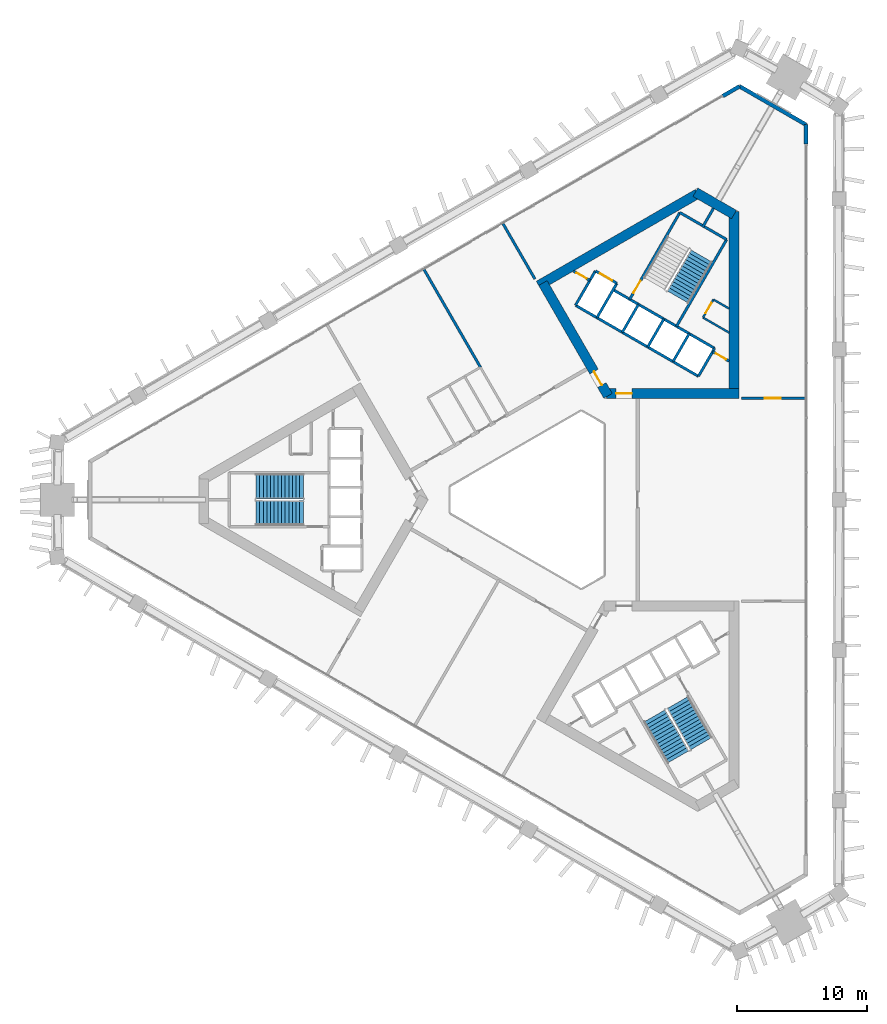
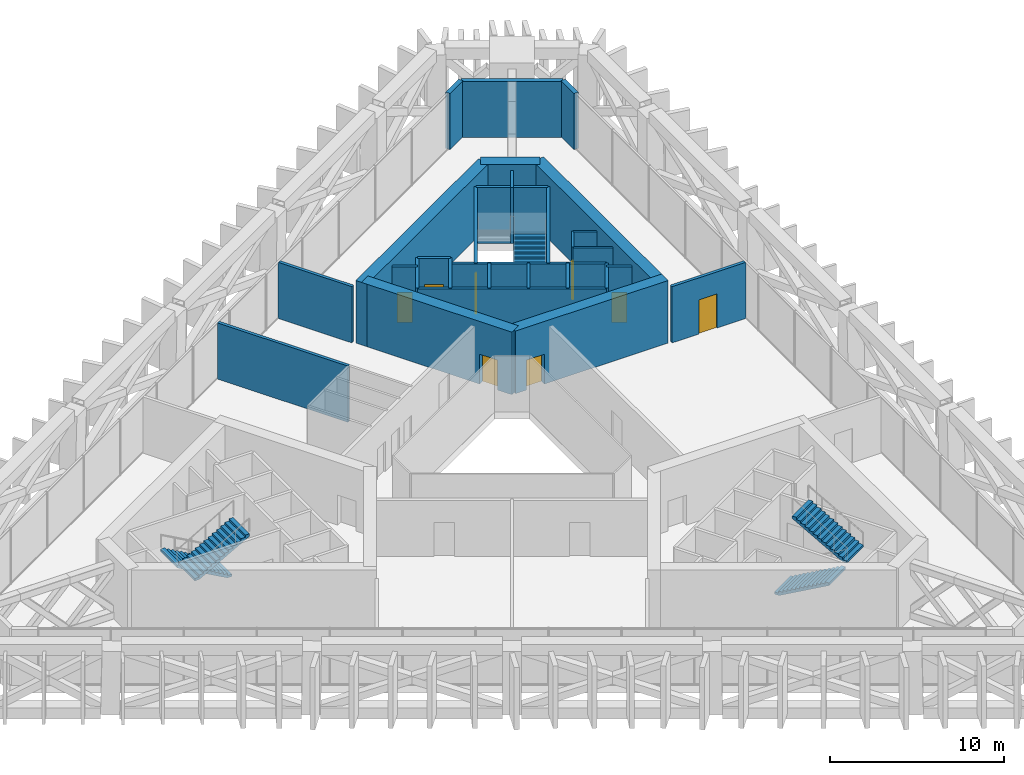
# One storey, part 14 of 17: 29 walls, 8 doors, 5 stair flights, 8 openings, 3 elements without a shape of their own.
"""IFC4 building model written with IfcOpenShell, lengths in metres."""

import ifcopenshell
import ifcopenshell.guid

model = None  # the IFC model being written
_history = None  # IfcOwnerHistory: only IFC2X3 demands one
_inside = {}  # id of a spatial element -> (the spatial element, [elements in it])
_under = {}  # id of a project, library or spatial element -> (it, [spatial elements below it])
_declared = {}  # id of a project -> (the project, [libraries it declares])
_typed = {}  # id of a type object -> (the type object, [elements of that type])
_made_of = {}  # id of a material, layer set ... -> (it, [elements and type objects made of it])


def new_model(schema):
    """Start an empty IFC model of exactly this schema.

    Asked for "IFC4X3", IfcOpenShell would pick the latest addendum, in which some entities
    have other attributes; the version numbers below select the first issue.
    IFC2X3 requires an IfcOwnerHistory on every rooted entity: one is made here for all.
    """
    global model, _history
    if schema == "IFC4X3":
        model = ifcopenshell.file(schema_version=(4, 3, 0, 0))
    else:
        model = ifcopenshell.file(schema=schema)
    _inside.clear()
    _under.clear()
    _declared.clear()
    _typed.clear()
    _made_of.clear()
    _history = None
    if model.schema == "IFC2X3":
        org = make("IfcOrganization", Name="unknown")
        user = make(
            "IfcPersonAndOrganization",
            ThePerson=make("IfcPerson", FamilyName="unknown"),
            TheOrganization=org,
        )
        app = make(
            "IfcApplication",
            ApplicationDeveloper=org,
            Version="unknown",
            ApplicationFullName="unknown",
            ApplicationIdentifier="unknown",
        )
        _history = make(
            "IfcOwnerHistory",
            OwningUser=user,
            OwningApplication=app,
            ChangeAction="ADDED",
            CreationDate=0,
        )
    return model


def make(cls, **values):
    """One entity of the class cls with the attributes given. An attribute that is None is left unset."""
    return model.create_entity(
        cls, **{name: value for name, value in values.items() if value is not None}
    )


def rooted(cls, **values):
    """An entity with a GlobalId (a new one), such as an element, a storey or a relation."""
    return make(cls, GlobalId=ifcopenshell.guid.new(), OwnerHistory=_history, **values)


def si_unit(unit_type, name, prefix=None):
    """IfcSIUnit, for example si_unit("LENGTHUNIT", "METRE", prefix="MILLI")."""
    return make("IfcSIUnit", UnitType=unit_type, Prefix=prefix, Name=name)


def assignment(units):
    """IfcUnitAssignment: the units of a project."""
    return None if units is None else make("IfcUnitAssignment", Units=units)


def point(xyz):
    """IfcCartesianPoint."""
    return None if xyz is None else make("IfcCartesianPoint", Coordinates=xyz)


def direction(xyz):
    """IfcDirection."""
    return None if xyz is None else make("IfcDirection", DirectionRatios=xyz)


def frame(location, z_axis=None, x_axis=None):
    """IfcAxis2Placement3D, a coordinate frame: its origin and axes. An axis left out is left unset."""
    return make(
        "IfcAxis2Placement3D",
        Location=point(location),
        Axis=direction(z_axis),
        RefDirection=direction(x_axis),
    )


def frame_2d(location, x_axis=None):
    """IfcAxis2Placement2D, a coordinate frame in the plane: its origin and x axis."""
    return make(
        "IfcAxis2Placement2D", Location=point(location), RefDirection=direction(x_axis)
    )


def origin():
    """The frame at (0, 0, 0) with its axes left unset."""
    return frame((0.0, 0.0, 0.0))


def place(relative_to, where):
    """IfcLocalPlacement: puts the frame where relative to a parent placement (None: the world)."""
    return make(
        "IfcLocalPlacement", PlacementRelTo=relative_to, RelativePlacement=where
    )


def context(
    kind, dimensions, precision=None, world=None, true_north=None, identifier=None
):
    """IfcGeometricRepresentationContext, for example the 3D "Model" context."""
    return make(
        "IfcGeometricRepresentationContext",
        ContextIdentifier=identifier,
        ContextType=kind,
        CoordinateSpaceDimension=dimensions,
        Precision=precision,
        WorldCoordinateSystem=world,
        TrueNorth=true_north,
    )


def subcontext(parent, identifier, kind, view, scale=None):
    """IfcGeometricRepresentationSubContext, for example "Body" below "Model"."""
    return make(
        "IfcGeometricRepresentationSubContext",
        ContextIdentifier=identifier,
        ContextType=kind,
        ParentContext=parent,
        TargetScale=scale,
        TargetView=view,
    )


def project(units=None, contexts=None):
    """IfcProject with its units and contexts."""
    return rooted(
        "IfcProject",
        Name="project",
        RepresentationContexts=contexts,
        UnitsInContext=assignment(units),
    )


def spatial(cls, under=None, at=None, **own):
    """A site, building, storey or space (cls), placed at a placement, below another one or the project."""
    s = rooted(cls, ObjectPlacement=at, **own)
    if under is not None:
        _under.setdefault(under.id(), (under, []))[1].append(s)
    return s


def polyline(points):
    """IfcPolyline through the points."""
    return make("IfcPolyline", Points=[point(p) for p in points])


def profile(cls, at=None, kind="AREA", **sizes):
    """A parametric profile (cls). Its sizes go by their IFC names, for example OverallWidth=200.0."""
    return make(cls, ProfileType=kind, Position=at, **sizes)


def rectangle(**sizes):
    """IfcRectangleProfileDef."""
    return profile("IfcRectangleProfileDef", **sizes)


def outline(outer, holes=None, kind="AREA"):
    """IfcArbitraryClosedProfileDef: a profile drawn as a closed curve; with holes, ...WithVoids."""
    if holes is None:
        return make("IfcArbitraryClosedProfileDef", ProfileType=kind, OuterCurve=outer)
    return make(
        "IfcArbitraryProfileDefWithVoids",
        ProfileType=kind,
        OuterCurve=outer,
        InnerCurves=holes,
    )


def extrude(swept, where, along, depth):
    """IfcExtrudedAreaSolid: the profile swept, set in the frame where, extruded along a direction by depth."""
    return make(
        "IfcExtrudedAreaSolid",
        SweptArea=swept,
        Position=where,
        ExtrudedDirection=direction(along),
        Depth=depth,
    )


def shape(context_of_items, identifier, shape_type, items):
    """IfcShapeRepresentation: the items that make up one representation, for example the "Body"."""
    return make(
        "IfcShapeRepresentation",
        ContextOfItems=context_of_items,
        RepresentationIdentifier=identifier,
        RepresentationType=shape_type,
        Items=items,
    )


def material(Name=None, Category=None):
    """IfcMaterial."""
    return make("IfcMaterial", Name=Name, Category=Category)


def layer(
    of_material, thickness, ventilated=None, Name=None, Category=None, Priority=None
):
    """IfcMaterialLayer: one layer of a wall or slab, of a material (None: an air gap)."""
    return make(
        "IfcMaterialLayer",
        Material=of_material,
        LayerThickness=thickness,
        IsVentilated=ventilated,
        Name=Name,
        Category=Category,
        Priority=Priority,
    )


def layer_set(layers, Name=None):
    """IfcMaterialLayerSet."""
    return make("IfcMaterialLayerSet", MaterialLayers=layers, LayerSetName=Name)


def made_of(thing, what):
    """Note that an element or type object is made of a material, layer set ...; save() writes the relation."""
    if what is not None:
        _made_of.setdefault(what.id(), (what, []))[1].append(thing)
    return thing


def type_object(cls, material=None, **own):
    """A type object (cls), such as IfcWallType, which elements share."""
    return made_of(rooted(cls, **own), material)


def element(
    cls,
    number,
    at=None,
    inside=None,
    cuts=None,
    type_object=None,
    material=None,
    context=None,
    identifier="Body",
    shape_type=None,
    held_by="IfcProductDefinitionShape",
    body=None,
    shapes=None,
    **own,
):
    """One element of the class cls, such as IfcWall. Its Tag is "e" and its number.

    at: its placement. inside: the storey or other place that contains it. cuts: it is an
    opening in that element (IfcRelVoidsElement). A single representation is given by context,
    identifier, shape_type and body (its items); several are given by shapes. held_by: the class
    of the entity that holds the representations. save() writes the other relations.
    """
    e = rooted(cls, Tag="e%d" % number, ObjectPlacement=at, **own)
    if body is not None:
        shapes = [shape(context, identifier, shape_type, body)]
    if shapes is not None:
        e.Representation = make(held_by, Representations=shapes)
    if inside is not None:
        _inside.setdefault(inside.id(), (inside, []))[1].append(e)
    if cuts is not None:
        rooted(
            "IfcRelVoidsElement", RelatingBuildingElement=cuts, RelatedOpeningElement=e
        )
    if type_object is not None:
        _typed.setdefault(type_object.id(), (type_object, []))[1].append(e)
    return made_of(e, material)


def fill(opening, filler):
    """IfcRelFillsElement: the door or window that sits in an opening."""
    return rooted(
        "IfcRelFillsElement",
        RelatingOpeningElement=opening,
        RelatedBuildingElement=filler,
    )


def aggregate(whole, parts):
    """IfcRelAggregates: a whole, such as a stair, and the parts it consists of."""
    return rooted("IfcRelAggregates", RelatingObject=whole, RelatedObjects=parts)


def save(model, path):
    """Write the relations noted so far, then the file.

    IfcRelAggregates (storeys below a building ...), IfcRelContainedInSpatialStructure (elements
    in a storey), IfcRelDefinesByType, IfcRelAssociatesMaterial and IfcRelDeclares: one each for
    every whole, place, type object, material and project.
    """
    for whole, parts in _under.values():
        aggregate(whole, parts)
    for where, things in _inside.values():
        rooted(
            "IfcRelContainedInSpatialStructure",
            RelatedElements=things,
            RelatingStructure=where,
        )
    for kind, things in _typed.values():
        rooted("IfcRelDefinesByType", RelatedObjects=things, RelatingType=kind)
    for what, things in _made_of.values():
        rooted("IfcRelAssociatesMaterial", RelatedObjects=things, RelatingMaterial=what)
    for by, libraries in _declared.values():
        rooted("IfcRelDeclares", RelatingContext=by, RelatedDefinitions=libraries)
    model.write(path)


model = new_model("IFC4")

# Units and contexts
model_context = context("Model", 3, precision=1e-05, world=origin(), true_north=direction((0.0, 1.0)))
body_context = subcontext(model_context, "Body", "Model", "MODEL_VIEW")
ifc_project = project(units=[si_unit("LENGTHUNIT", "METRE"), si_unit("AREAUNIT", "SQUARE_METRE"), si_unit("VOLUMEUNIT", "CUBIC_METRE"), si_unit("PLANEANGLEUNIT", "RADIAN"), si_unit("MASSUNIT", "GRAM", prefix="KILO")], contexts=[model_context])

# Site, building, storey
site_placement = place(None, origin())
site = spatial("IfcSite", under=ifc_project, at=site_placement, CompositionType="ELEMENT")
building_placement = place(site_placement, origin())
building = spatial("IfcBuilding", under=site, at=building_placement, Name="Jabali Bay Hotel Tower and Convention Centre", CompositionType="ELEMENT")
storey_placement = place(building_placement, frame((0.0, 0.0, 102.39990234375)))
storey = spatial("IfcBuildingStorey", under=building, at=storey_placement, Name="L24", CompositionType="ELEMENT", Elevation=102.39990234375)

# Wall
ifc_material_1 = material(Name="Concrete C40", Category="concrete")
ifc_layer_1 = layer(ifc_material_1, 0.199951171875)
ifc_layer_set_1 = layer_set([ifc_layer_1], Name="Concrete C40")
wall_type_1 = type_object("IfcWallType", Name="Core partition wall 200", PredefinedType="PARTITIONING", material=ifc_layer_set_1)
wall_1_placement = place(storey_placement, frame((87.090087890625, 100.9404296875, 0.0), z_axis=(0.0, 0.0, 1.0), x_axis=(0.499937194881, 0.866061661301, 0.0)))
element("IfcWall", 1, at=wall_1_placement, inside=storey, type_object=wall_type_1, Name="Core wall 1.5 L24", PredefinedType="PARTITIONING", context=body_context, shape_type="SweptSolid", body=[
    extrude(rectangle(XDim=1.673095703125, YDim=0.199951171875, at=frame_2d((0.83642578125, 0.0))), origin(), (0.0, 0.0, 1.0), 3.9501953125),
])

# Wall, opening, door
wall_2_placement = place(storey_placement, frame((89.130126953125, 90.640625, 0.0), z_axis=(0.0, 0.0, 1.0), x_axis=(-0.866094119867, 0.499880961361, 0.0)))
wall_2 = element("IfcWall", 2, at=wall_2_placement, inside=storey, type_object=wall_type_1, Name="Core wall 1.11 L24", PredefinedType="PARTITIONING", context=body_context, shape_type="SweptSolid", body=[
    extrude(rectangle(XDim=1.466552734375, YDim=0.199951171875, at=frame_2d((0.7333984375, 0.0))), origin(), (0.0, 0.0, 1.0), 3.9501953125),
])
opening_1_placement = place(wall_2_placement, frame((0.283447265625, 0.0, 0.0)))
opening_1 = element("IfcOpeningElement", 3, at=opening_1_placement, cuts=wall_2, Name="Opening D555", PredefinedType="OPENING", context=body_context, shape_type="SweptSolid", body=[
    extrude(rectangle(XDim=0.89990234375, YDim=2.10009765625, at=frame_2d((0.449951171875, 1.050048828125))), frame((0.0, 0.1103515625, 0.0), z_axis=(0.0, -1.0, 0.0), x_axis=(1.0, 0.0, 0.0)), (0.0, 0.0, 1.0), 0.220947265625),
])
ifc_material_2 = material(Name="Fire-rated steel door", Category="steel")
door_type_1 = type_object("IfcDoorType", Name="Vestibule fire door 900 x 2100", OperationType="NOTDEFINED", PredefinedType="NOTDEFINED", material=ifc_material_2)
door_1_placement = place(opening_1_placement, origin())
door_1 = element("IfcDoor", 4, at=door_1_placement, inside=storey, type_object=door_type_1, Name="Vestibule fire door D555", OperationType="SINGLE_SWING_LEFT", OverallHeight=2.10009765625, OverallWidth=0.89990234375, PredefinedType="NOTDEFINED", context=body_context, shape_type="SweptSolid", body=[
    extrude(rectangle(XDim=0.89990234375, YDim=2.10009765625, at=frame_2d((0.449951171875, 1.050048828125))), frame((0.0, 0.02490234375, 0.0), z_axis=(0.0, -1.0, 0.0), x_axis=(1.0, 0.0, 0.0)), (0.0, 0.0, 1.0), 0.050048828125),
])
fill(opening_1, door_1)

wall_3_placement = place(storey_placement, frame((78.43017578125, 96.84130859375, 0.0), z_axis=(0.0, 0.0, 1.0), x_axis=(-0.866045896294, 0.499964504253, 0.0)))
wall_3 = element("IfcWall", 5, at=wall_3_placement, inside=storey, type_object=wall_type_1, Name="Core wall 1.12 L24", PredefinedType="PARTITIONING", context=body_context, shape_type="SweptSolid", body=[
    extrude(rectangle(XDim=1.455078125, YDim=0.199951171875, at=frame_2d((0.7275390625, 0.0))), origin(), (0.0, 0.0, 1.0), 3.9501953125),
])
opening_2_placement = place(wall_3_placement, frame((0.277587890625, 0.0, 0.0)))
opening_2 = element("IfcOpeningElement", 6, at=opening_2_placement, cuts=wall_3, Name="Opening D554", PredefinedType="OPENING", context=body_context, shape_type="SweptSolid", body=[
    extrude(rectangle(XDim=0.89990234375, YDim=2.10009765625, at=frame_2d((0.449951171875, 1.050048828125))), frame((0.0, 0.1103515625, 0.0), z_axis=(0.0, -1.0, 0.0), x_axis=(1.0, 0.0, 0.0)), (0.0, 0.0, 1.0), 0.220947265625),
])
door_2_placement = place(opening_2_placement, origin())
door_2 = element("IfcDoor", 7, at=door_2_placement, inside=storey, type_object=door_type_1, Name="Vestibule fire door D554", OperationType="SINGLE_SWING_LEFT", OverallHeight=2.10009765625, OverallWidth=0.89990234375, PredefinedType="NOTDEFINED", context=body_context, shape_type="SweptSolid", body=[
    extrude(rectangle(XDim=0.89990234375, YDim=2.10009765625, at=frame_2d((0.449951171875, 1.050048828125))), frame((0.0, 0.02490234375, 0.0), z_axis=(0.0, -1.0, 0.0), x_axis=(1.0, 0.0, 0.0)), (0.0, 0.0, 1.0), 0.050048828125),
])
fill(opening_2, door_2)

ifc_material_3 = material(Name="Fire-rated board partition")
ifc_layer_2 = layer(ifc_material_3, 0.14990234375)
ifc_layer_set_2 = layer_set([ifc_layer_2], Name="Fire-rated board partition")
wall_type_2 = type_object("IfcWallType", Name="Core room partition 150", PredefinedType="PARTITIONING", material=ifc_layer_set_2)
wall_4_placement = place(storey_placement, frame((87.12109375, 93.994384765625, 0.0), z_axis=(0.0, 0.0, 1.0), x_axis=(0.500061482766, 0.865989903783, 0.0)))
wall_4 = element("IfcWall", 8, at=wall_4_placement, inside=storey, type_object=wall_type_2, Name="Core wall 1.1 L24", PredefinedType="PARTITIONING", context=body_context, shape_type="SweptSolid", body=[
    extrude(rectangle(XDim=1.599853515625, YDim=0.14990234375, at=frame_2d((0.7998046875, 0.0))), origin(), (0.0, 0.0, 1.0), 3.9501953125),
])
opening_3_placement = place(wall_4_placement, frame((0.387451171875, 0.0, 0.0)))
opening_3 = element("IfcOpeningElement", 9, at=opening_3_placement, cuts=wall_4, Name="Opening D557", PredefinedType="OPENING", context=body_context, shape_type="SweptSolid", body=[
    extrude(rectangle(XDim=0.89990234375, YDim=2.10009765625, at=frame_2d((0.449951171875, 1.050048828125))), frame((0.0, 0.08544921875, 0.0), z_axis=(0.0, -1.0, 0.0), x_axis=(1.0, 0.0, 0.0)), (0.0, 0.0, 1.0), 0.1708984375),
])
door_type_2 = type_object("IfcDoorType", Name="Core room door 900 x 2100", OperationType="NOTDEFINED", PredefinedType="NOTDEFINED", material=ifc_material_2)
door_3_placement = place(opening_3_placement, origin())
door_3 = element("IfcDoor", 10, at=door_3_placement, inside=storey, type_object=door_type_2, Name="Core room door D557", OperationType="SINGLE_SWING_LEFT", OverallHeight=2.10009765625, OverallWidth=0.89990234375, PredefinedType="NOTDEFINED", context=body_context, shape_type="SweptSolid", body=[
    extrude(rectangle(XDim=0.89990234375, YDim=2.10009765625, at=frame_2d((0.449951171875, 1.050048828125))), frame((0.0, 0.02490234375, 0.0), z_axis=(0.0, -1.0, 0.0), x_axis=(1.0, 0.0, 0.0)), (0.0, 0.0, 1.0), 0.050048828125),
])
fill(opening_3, door_3)

# Walls
wall_5_placement = place(storey_placement, frame((89.130126953125, 92.83447265625, 0.0), z_axis=(0.0, 0.0, 1.0), x_axis=(-0.866026103983, 0.499998787219, 0.0)))
element("IfcWall", 11, at=wall_5_placement, inside=storey, type_object=wall_type_2, Name="Core wall 1.15 L24", PredefinedType="PARTITIONING", context=body_context, shape_type="SweptSolid", body=[
    extrude(rectangle(XDim=2.31982421875, YDim=0.14990234375, at=frame_2d((1.159912109375, 0.0))), origin(), (0.0, 0.0, 1.0), 3.9501953125),
])
wall_6_placement = place(storey_placement, frame((89.1298828125, 94.68212890625, 0.0), z_axis=(0.0, 0.0, 1.0), x_axis=(-0.866060334111, 0.499939494019, 0.0)))
element("IfcWall", 12, at=wall_6_placement, inside=storey, type_object=wall_type_2, Name="Core wall 1.16 L24", PredefinedType="PARTITIONING", context=body_context, shape_type="SweptSolid", body=[
    extrude(rectangle(XDim=1.395751953125, YDim=0.14990234375, at=frame_2d((0.69775390625, 0.0))), origin(), (0.0, 0.0, 1.0), 3.9501953125),
])
ifc_layer_3 = layer(ifc_material_1, 0.199951171875)
ifc_layer_set_3 = layer_set([ifc_layer_3], Name="Concrete C40")
wall_type_3 = type_object("IfcWallType", Name="Core stair wall 200", PredefinedType="SOLIDWALL", material=ifc_layer_set_3)
for number, where, z_axis, x_axis, name in (
    (13, (86.769775390625, 89.48583984375, 0.0), (0.0, 0.0, 1.0), (0.499961042966, 0.86604789447, 0.0), "Core wall 1.0 L24"),
    (14, (84.8212890625, 90.61083984375, 0.0), (0.0, 0.0, 1.0), (0.499961042966, 0.86604789447, 0.0), "Core wall 1.2 L24"),
):
    element("IfcWall", number, at=place(storey_placement, frame(where, z_axis=z_axis, x_axis=x_axis)), inside=storey, type_object=wall_type_3, Name=name, PredefinedType="SOLIDWALL", context=body_context, shape_type="SweptSolid", body=[
        extrude(rectangle(XDim=2.480224609375, YDim=0.199951171875, at=frame_2d((1.240234375, 0.0))), origin(), (0.0, 0.0, 1.0), 3.9501953125),
    ])
wall_7_placement = place(storey_placement, frame((85.0869140625, 93.3212890625, 0.0), z_axis=(0.0, 0.0, 1.0), x_axis=(0.500019787375, 0.866013979237, 0.0)))
element("IfcWall", 15, at=wall_7_placement, inside=storey, type_object=wall_type_3, Name="Core wall 1.3 L24", PredefinedType="SOLIDWALL", context=body_context, shape_type="SweptSolid", body=[
    extrude(rectangle(XDim=7.699951171875, YDim=0.199951171875, at=frame_2d((3.85009765625, 0.0))), origin(), (0.0, 0.0, 1.0), 3.9501953125),
])
for number, where, z_axis, x_axis, name in (
    (16, (82.872802734375, 91.73583984375, 0.0), (0.0, 0.0, 1.0), (0.499961042966, 0.86604789447, 0.0), "Core wall 1.4 L24"),
    (17, (80.924072265625, 92.86083984375, 0.0), (0.0, 0.0, 1.0), (0.499961042966, 0.86604789447, 0.0), "Core wall 1.6 L24"),
):
    element("IfcWall", number, at=place(storey_placement, frame(where, z_axis=z_axis, x_axis=x_axis)), inside=storey, type_object=wall_type_3, Name=name, PredefinedType="SOLIDWALL", context=body_context, shape_type="SweptSolid", body=[
        extrude(rectangle(XDim=2.480224609375, YDim=0.199951171875, at=frame_2d((1.240234375, 0.0))), origin(), (0.0, 0.0, 1.0), 3.9501953125),
    ])

# Wall, opening, door
wall_8_placement = place(storey_placement, frame((81.492919921875, 95.396240234375, 0.0), z_axis=(0.0, 0.0, 1.0), x_axis=(0.500006057782, 0.866021906294, 0.0)))
wall_8 = element("IfcWall", 18, at=wall_8_placement, inside=storey, type_object=wall_type_3, Name="Core wall 1.7 L24", PredefinedType="SOLIDWALL", context=body_context, shape_type="SweptSolid", body=[
    extrude(rectangle(XDim=7.7001953125, YDim=0.199951171875, at=frame_2d((3.85009765625, 0.0))), origin(), (0.0, 0.0, 1.0), 3.9501953125),
])
opening_4_placement = place(wall_8_placement, frame((0.550048828125, 0.0, 0.0)))
opening_4 = element("IfcOpeningElement", 19, at=opening_4_placement, cuts=wall_8, Name="Opening D556", PredefinedType="OPENING", context=body_context, shape_type="SweptSolid", body=[
    extrude(rectangle(XDim=1.10009765625, YDim=2.10009765625, at=frame_2d((0.550048828125, 1.050048828125))), frame((0.0, 0.1103515625, 0.0), z_axis=(0.0, -1.0, 0.0), x_axis=(1.0, 0.0, 0.0)), (0.0, 0.0, 1.0), 0.220947265625),
])
door_type_3 = type_object("IfcDoorType", Name="Stair fire door 1100 x 2100", OperationType="NOTDEFINED", PredefinedType="NOTDEFINED", material=ifc_material_2)
door_4_placement = place(opening_4_placement, origin())
door_4 = element("IfcDoor", 20, at=door_4_placement, inside=storey, type_object=door_type_3, Name="Stair fire door D556", OperationType="SINGLE_SWING_RIGHT", OverallHeight=2.10009765625, OverallWidth=1.10009765625, PredefinedType="NOTDEFINED", context=body_context, shape_type="SweptSolid", body=[
    extrude(rectangle(XDim=1.10009765625, YDim=2.10009765625, at=frame_2d((0.550048828125, 1.050048828125))), frame((0.0, 0.02490234375, 0.0), z_axis=(0.0, -1.0, 0.0), x_axis=(1.0, 0.0, 0.0)), (0.0, 0.0, 1.0), 0.050048828125),
])
fill(opening_4, door_4)

# Walls
for number, where, z_axis, x_axis, name in (
    (21, (78.9755859375, 93.98583984375, 0.0), (0.0, 0.0, 1.0), (0.499944174705, 0.866057632134, 0.0), "Core wall 1.8 L24"),
    (22, (77.330078125, 94.93603515625, 0.0), (0.0, 0.0, 1.0), (0.500038867431, 0.8660029625, 0.0), "Core wall 1.9 L24"),
):
    element("IfcWall", number, at=place(storey_placement, frame(where, z_axis=z_axis, x_axis=x_axis)), inside=storey, type_object=wall_type_3, Name=name, PredefinedType="SOLIDWALL", context=body_context, shape_type="SweptSolid", body=[
        extrude(rectangle(XDim=3.050048828125, YDim=0.199951171875, at=frame_2d((1.52490234375, 0.0))), origin(), (0.0, 0.0, 1.0), 3.9501953125),
    ])
wall_9_placement = place(storey_placement, frame((86.769775390625, 89.48583984375, 0.0), z_axis=(0.0, 0.0, 1.0), x_axis=(-0.86601811187, 0.500012629753, 0.0)))
element("IfcWall", 23, at=wall_9_placement, inside=storey, type_object=wall_type_3, Name="Core wall 1.10 L24", PredefinedType="SOLIDWALL", context=body_context, shape_type="SweptSolid", body=[
    extrude(rectangle(XDim=10.900146484375, YDim=0.199951171875, at=frame_2d((5.4501953125, 0.0))), origin(), (0.0, 0.0, 1.0), 3.9501953125),
])
wall_10_placement = place(storey_placement, frame((88.009765625, 91.6337890625, 0.0), z_axis=(0.0, 0.0, 1.0), x_axis=(-0.866024315419, 0.5000018851, 0.0)))
element("IfcWall", 24, at=wall_10_placement, inside=storey, type_object=wall_type_3, Name="Core wall 1.13 L24", PredefinedType="SOLIDWALL", context=body_context, shape_type="SweptSolid", body=[
    extrude(rectangle(XDim=9.0, YDim=0.199951171875, at=frame_2d((4.5, 0.0))), origin(), (0.0, 0.0, 1.0), 3.9501953125),
])

# Wall, opening, door
wall_11_placement = place(storey_placement, frame((80.50048828125, 96.62744140625, 0.0), z_axis=(0.0, 0.0, 1.0), x_axis=(-0.86601224135, 0.500022797313, 0.0)))
wall_11 = element("IfcWall", 25, at=wall_11_placement, inside=storey, type_object=wall_type_3, Name="Core wall 1.14 L24", PredefinedType="SOLIDWALL", context=body_context, shape_type="SweptSolid", body=[
    extrude(rectangle(XDim=1.89990234375, YDim=0.199951171875, at=frame_2d((0.949951171875, 0.0))), origin(), (0.0, 0.0, 1.0), 3.9501953125),
])
opening_5_placement = place(wall_11_placement, frame((0.39990234375, 0.0, 0.0)))
opening_5 = element("IfcOpeningElement", 26, at=opening_5_placement, cuts=wall_11, Name="Opening LD10-L24", PredefinedType="OPENING", context=body_context, shape_type="SweptSolid", body=[
    extrude(rectangle(XDim=1.10009765625, YDim=2.10009765625, at=frame_2d((0.550048828125, 1.050048828125))), frame((0.0, 0.1103515625, 0.0), z_axis=(0.0, -1.0, 0.0), x_axis=(1.0, 0.0, 0.0)), (0.0, 0.0, 1.0), 0.220947265625),
])
ifc_material_4 = material(Name="Stainless steel landing door", Category="steel")
door_type_4 = type_object("IfcDoorType", Name="Landing door 1100 x 2100", OperationType="NOTDEFINED", PredefinedType="NOTDEFINED", material=ifc_material_4)
door_5_placement = place(opening_5_placement, origin())
door_5 = element("IfcDoor", 27, at=door_5_placement, inside=storey, type_object=door_type_4, Name="Landing doors LD10-L24", OperationType="SLIDING_TO_RIGHT", OverallHeight=2.10009765625, OverallWidth=1.10009765625, PredefinedType="NOTDEFINED", context=body_context, shape_type="SweptSolid", body=[
    extrude(rectangle(XDim=1.10009765625, YDim=2.10009765625, at=frame_2d((0.550048828125, 1.050048828125))), frame((0.0, 0.02490234375, 0.0), z_axis=(0.0, -1.0, 0.0), x_axis=(1.0, 0.0, 0.0)), (0.0, 0.0, 1.0), 0.050048828125),
])
fill(opening_5, door_5)

# Wall
wall_12_placement = place(storey_placement, frame((88.93701171875, 99.989501953125, 0.0), z_axis=(0.0, 0.0, 1.0), x_axis=(-0.866004344652, 0.500036473714, 0.0)))
element("IfcWall", 28, at=wall_12_placement, inside=storey, type_object=wall_type_3, Name="Core wall 1.17 L24", PredefinedType="SOLIDWALL", context=body_context, shape_type="SweptSolid", body=[
    extrude(rectangle(XDim=4.150146484375, YDim=0.199951171875, at=frame_2d((2.0751953125, 0.0))), origin(), (0.0, 0.0, 1.0), 3.9501953125),
])

# Wall, opening, door
ifc_material_5 = material(Name="Concrete C60", Category="concrete")
ifc_layer_4 = layer(ifc_material_5, 0.75)
ifc_layer_set_4 = layer_set([ifc_layer_4], Name="Concrete C60")
wall_type_4 = type_object("IfcWallType", Name="Core wall 750", PredefinedType="SHEAR", material=ifc_layer_set_4)
wall_13_placement = place(storey_placement, frame((79.716552734375, 88.169189453125, 0.0), z_axis=(0.0, 0.0, 1.0), x_axis=(1.0, 0.0, 0.0)))
wall_13 = element("IfcWall", 29, at=wall_13_placement, inside=storey, type_object=wall_type_4, Name="Core wall 2.1 L24", PredefinedType="SHEAR", context=body_context, shape_type="SweptSolid", body=[
    extrude(rectangle(XDim=10.163330078125, YDim=0.75, at=frame_2d((5.08154296875, 0.0))), origin(), (0.0, 0.0, 1.0), 4.400146484375),
])
opening_6_placement = place(wall_13_placement, frame((0.7333984375, 0.0, 0.0)))
opening_6 = element("IfcOpeningElement", 30, at=opening_6_placement, cuts=wall_13, Name="Opening D552", PredefinedType="OPENING", context=body_context, shape_type="SweptSolid", body=[
    extrude(rectangle(XDim=1.199951171875, YDim=2.10009765625, at=frame_2d((0.60009765625, 1.050048828125))), frame((0.0, 0.385498046875, 0.0), z_axis=(0.0, -1.0, 0.0), x_axis=(1.0, 0.0, 0.0)), (0.0, 0.0, 1.0), 0.77099609375),
])
door_type_5 = type_object("IfcDoorType", Name="Corridor end fire door 1200 x 2100", OperationType="NOTDEFINED", PredefinedType="NOTDEFINED", material=ifc_material_2)
door_6_placement = place(opening_6_placement, origin())
door_6 = element("IfcDoor", 31, at=door_6_placement, inside=storey, type_object=door_type_5, Name="Corridor end fire door D552", OperationType="SINGLE_SWING_RIGHT", OverallHeight=2.10009765625, OverallWidth=1.199951171875, PredefinedType="NOTDEFINED", context=body_context, shape_type="SweptSolid", body=[
    extrude(rectangle(XDim=1.199951171875, YDim=2.10009765625, at=frame_2d((0.60009765625, 1.050048828125))), frame((0.0, 0.02490234375, 0.0), z_axis=(0.0, -1.0, 0.0), x_axis=(1.0, 0.0, 0.0)), (0.0, 0.0, 1.0), 0.050048828125),
])
fill(opening_6, door_6)

# Walls
wall_14_placement = place(storey_placement, frame((89.5048828125, 88.169189453125, 0.0), z_axis=(0.0, 0.0, 1.0), x_axis=(0.0, 1.0, 0.0)))
element("IfcWall", 32, at=wall_14_placement, inside=storey, type_object=wall_type_4, Name="Core wall 2.2 L24", PredefinedType="SHEAR", context=body_context, shape_type="SweptSolid", body=[
    extrude(rectangle(XDim=13.95849609375, YDim=0.75, at=frame_2d((6.979248046875, 0.0))), origin(), (0.0, 0.0, 1.0), 4.400146484375),
])
wall_15_placement = place(storey_placement, frame((89.5048828125, 101.9111328125, 0.0), z_axis=(0.0, 0.0, 1.0), x_axis=(-0.866017201164, 0.500014207086, 0.0)))
element("IfcWall", 33, at=wall_15_placement, inside=storey, type_object=wall_type_4, Name="Core wall 2.3 L24", PredefinedType="SHEAR", context=body_context, shape_type="SweptSolid", body=[
    extrude(rectangle(XDim=3.4287109375, YDim=0.75, at=frame_2d((1.71435546875, 0.0))), origin(), (0.0, 0.0, 1.0), 4.400146484375),
])
wall_16_placement = place(storey_placement, frame((86.72314453125, 103.517333984375, 0.0), z_axis=(0.0, 0.0, 1.0), x_axis=(-0.866020851292, -0.500007885066, 0.0)))
element("IfcWall", 34, at=wall_16_placement, inside=storey, type_object=wall_type_4, Name="Core wall 2.4 L24", PredefinedType="SHEAR", context=body_context, shape_type="SweptSolid", body=[
    extrude(rectangle(XDim=14.116943359375, YDim=0.75, at=frame_2d((7.05859375, 0.0))), origin(), (0.0, 0.0, 1.0), 4.400146484375),
])

# Wall, opening, door
wall_17_placement = place(storey_placement, frame((74.822265625, 96.646240234375, 0.0), z_axis=(0.0, 0.0, 1.0), x_axis=(0.499997052475, -0.866027105532, 0.0)))
wall_17 = element("IfcWall", 35, at=wall_17_placement, inside=storey, type_object=wall_type_4, Name="Core wall 2.5 L24", PredefinedType="SHEAR", context=body_context, shape_type="SweptSolid", body=[
    extrude(rectangle(XDim=10.0048828125, YDim=0.75, at=frame_2d((5.00244140625, 0.0))), origin(), (0.0, 0.0, 1.0), 4.400146484375),
])
opening_7_placement = place(wall_17_placement, frame((7.85498046875, 0.0, 0.0)))
opening_7 = element("IfcOpeningElement", 36, at=opening_7_placement, cuts=wall_17, Name="Opening D553", PredefinedType="OPENING", context=body_context, shape_type="SweptSolid", body=[
    extrude(rectangle(XDim=1.199951171875, YDim=2.10009765625, at=frame_2d((0.60009765625, 1.050048828125))), frame((0.0, 0.385498046875, 0.0), z_axis=(0.0, -1.0, 0.0), x_axis=(1.0, 0.0, 0.0)), (0.0, 0.0, 1.0), 0.77099609375),
])
door_7_placement = place(opening_7_placement, origin())
door_7 = element("IfcDoor", 37, at=door_7_placement, inside=storey, type_object=door_type_5, Name="Corridor end fire door D553", OperationType="SINGLE_SWING_LEFT", OverallHeight=2.10009765625, OverallWidth=1.199951171875, PredefinedType="NOTDEFINED", context=body_context, shape_type="SweptSolid", body=[
    extrude(rectangle(XDim=1.199951171875, YDim=2.10009765625, at=frame_2d((0.60009765625, 1.050048828125))), frame((0.0, 0.02490234375, 0.0), z_axis=(0.0, -1.0, 0.0), x_axis=(1.0, 0.0, 0.0)), (0.0, 0.0, 1.0), 0.050048828125),
])
fill(opening_7, door_7)

# Walls
ifc_layer_5 = layer(ifc_material_1, 0.300048828125)
ifc_layer_set_5 = layer_set([ifc_layer_5], Name="Concrete C40")
wall_type_5 = type_object("IfcWallType", Name="External wall 300", PredefinedType="SOLIDWALL", material=ifc_layer_set_5)
wall_18_placement = place(storey_placement, frame((89.93212890625, 111.75927734375, 0.0), z_axis=(0.0, 0.0, 1.0), x_axis=(0.86603043987, -0.499991277142, 0.0)))
element("IfcWall", 38, at=wall_18_placement, inside=storey, type_object=wall_type_5, Name="External wall north-east chamfer L24", PredefinedType="SOLIDWALL", context=body_context, shape_type="SweptSolid", body=[
    extrude(rectangle(XDim=5.89599609375, YDim=0.300048828125, at=frame_2d((2.947998046875, 0.0))), origin(), (0.0, 0.0, 1.0), 3.9501953125),
])
for number, where, z_axis, x_axis, name in (
    (39, (95.038330078125, 108.811279296875, 0.0), (0.0, 0.0, 1.0), (0.0, -1.0, 0.0), "External wall east face L24"),
    (40, (88.633056640625, 111.00927734375, 0.0), (0.0, 0.0, 1.0), (0.866031096941, 0.499990139034, 0.0), "External wall north-west face L24"),
):
    element("IfcWall", number, at=place(storey_placement, frame(where, z_axis=z_axis, x_axis=x_axis)), inside=storey, type_object=wall_type_5, Name=name, PredefinedType="SOLIDWALL", context=body_context, shape_type="SweptSolid", body=[
        extrude(rectangle(XDim=1.5, YDim=0.300048828125, at=frame_2d((0.75, 0.0))), origin(), (0.0, 0.0, 1.0), 3.9501953125),
    ])

# Wall, opening, door
ifc_material_6 = material(Name="Plasterboard on steel stud", Category="steel")
ifc_layer_6 = layer(ifc_material_6, 0.199951171875)
ifc_layer_set_6 = layer_set([ifc_layer_6], Name="Plasterboard on steel stud")
wall_type_6 = type_object("IfcWallType", Name="Partition 200 party", PredefinedType="PARTITIONING", material=ifc_layer_set_6)
wall_19_placement = place(storey_placement, frame((90.0791015625, 87.794189453125, 0.0), z_axis=(0.0, 0.0, 1.0), x_axis=(1.0, 0.0, 0.0)))
wall_19 = element("IfcWall", 41, at=wall_19_placement, inside=storey, type_object=wall_type_6, Name="Partition P01 L24 001", PredefinedType="PARTITIONING", context=body_context, shape_type="SweptSolid", body=[
    extrude(rectangle(XDim=4.9052734375, YDim=0.199951171875, at=frame_2d((2.45263671875, 0.0))), origin(), (0.0, 0.0, 1.0), 3.9501953125),
])
opening_8_placement = place(wall_19_placement, frame((1.804931640625, 0.0, 0.0)))
opening_8 = element("IfcOpeningElement", 42, at=opening_8_placement, cuts=wall_19, Name="Opening 2410", PredefinedType="OPENING", context=body_context, shape_type="SweptSolid", body=[
    extrude(rectangle(XDim=1.199951171875, YDim=2.39990234375, at=frame_2d((0.60009765625, 1.199951171875))), frame((0.0, 0.1103515625, 0.0), z_axis=(0.0, -1.0, 0.0), x_axis=(1.0, 0.0, 0.0)), (0.0, 0.0, 1.0), 0.220947265625),
])
ifc_material_7 = material(Name="Timber", Category="wood")
door_type_6 = type_object("IfcDoorType", Name="Public room door 1200 x 2400", OperationType="NOTDEFINED", PredefinedType="NOTDEFINED", material=ifc_material_7)
door_8_placement = place(opening_8_placement, origin())
door_8 = element("IfcDoor", 43, at=door_8_placement, inside=storey, type_object=door_type_6, Name="Door 2410", OperationType="SINGLE_SWING_LEFT", OverallHeight=2.39990234375, OverallWidth=1.199951171875, PredefinedType="NOTDEFINED", context=body_context, shape_type="SweptSolid", body=[
    extrude(rectangle(XDim=1.199951171875, YDim=2.39990234375, at=frame_2d((0.60009765625, 1.199951171875))), frame((0.0, 0.02490234375, 0.0), z_axis=(0.0, -1.0, 0.0), x_axis=(1.0, 0.0, 0.0)), (0.0, 0.0, 1.0), 0.050048828125),
])
fill(opening_8, door_8)

# Walls
wall_20_placement = place(storey_placement, frame((65.68359375, 97.697021484375, 0.0), z_axis=(0.0, 0.0, 1.0), x_axis=(0.500015285395, -0.866016578578, 0.0)))
element("IfcWall", 44, at=wall_20_placement, inside=storey, type_object=wall_type_6, Name="Partition P01 L24 004", PredefinedType="PARTITIONING", context=body_context, shape_type="SweptSolid", body=[
    extrude(rectangle(XDim=8.684326171875, YDim=0.199951171875, at=frame_2d((4.34228515625, 0.0))), origin(), (0.0, 0.0, 1.0), 3.9501953125),
])
wall_21_placement = place(storey_placement, frame((71.7578125, 101.2041015625, 0.0), z_axis=(0.0, 0.0, 1.0), x_axis=(0.499982380289, -0.86603557629, 0.0)))
element("IfcWall", 45, at=wall_21_placement, inside=storey, type_object=wall_type_6, Name="Partition P01 L24 005", PredefinedType="PARTITIONING", context=body_context, shape_type="SweptSolid", body=[
    extrude(rectangle(XDim=4.905517578125, YDim=0.199951171875, at=frame_2d((2.45263671875, 0.0))), origin(), (0.0, 0.0, 1.0), 3.9501953125),
])

# Stair, stair flights
stair_type = type_object("IfcStairType", Name="Exit stair 1900", PredefinedType="HALF_TURN_STAIR", material=ifc_material_1)
stair_1_placement = place(storey_placement, origin())
stair_1 = element("IfcStair", 46, at=stair_1_placement, inside=storey, type_object=stair_type, Name="L24 Exit Stair 1", PredefinedType="HALF_TURN_STAIR")
stair_flight_type = type_object("IfcStairFlightType", Name="Stair flight concrete 150", PredefinedType="STRAIGHT", material=ifc_material_1)
stair_flight_1_placement = place(storey_placement, frame((56.419921875, 81.02490234375, 0.0), z_axis=(0.0, 0.0, 1.0), x_axis=(-1.0, 0.0, 0.0)))
stair_flight_1 = element("IfcStairFlight", 47, at=stair_flight_1_placement, type_object=stair_flight_type, Name="ST1 flight 1", NumberOfRisers=14, NumberOfTreads=13, PredefinedType="STRAIGHT", RiserHeight=0.157142857, TreadLength=0.28, context=body_context, shape_type="SweptSolid", body=[
    extrude(outline(polyline([(0.0, 0.0), (0.0, 0.1572265625), (0.280029296875, 0.1572265625), (0.280029296875, 0.314208984375), (0.56005859375, 0.314208984375), (0.56005859375, 0.471435546875), (0.840087890625, 0.471435546875), (0.840087890625, 0.628662109375), (1.1201171875, 0.628662109375), (1.1201171875, 0.78564453125), (1.39990234375, 0.78564453125), (1.39990234375, 0.94287109375), (1.679931640625, 0.94287109375), (1.679931640625, 1.10009765625), (1.9599609375, 1.10009765625), (1.9599609375, 1.257080078125), (2.239990234375, 1.257080078125), (2.239990234375, 1.414306640625), (2.52001953125, 1.414306640625), (2.52001953125, 1.571533203125), (2.800048828125, 1.571533203125), (2.800048828125, 1.728515625), (3.080078125, 1.728515625), (3.080078125, 1.8857421875), (3.360107421875, 1.8857421875), (3.360107421875, 2.04296875), (3.639892578125, 2.04296875), (3.639892578125, 2.199951171875), (3.639892578125, 1.870849609375), (0.306396484375, 0.0), (0.0, 0.0)])), frame((0.0, 0.949951171875, 0.0), z_axis=(0.0, -1.0, 0.0), x_axis=(1.0, 0.0, 0.0)), (0.0, 0.0, 1.0), 1.89990234375),
])
stair_flight_2_placement = place(storey_placement, frame((52.780029296875, 78.97509765625, 2.2001953125), z_axis=(0.0, 0.0, 1.0), x_axis=(1.0, 0.0, 0.0)))
stair_flight_2 = element("IfcStairFlight", 48, at=stair_flight_2_placement, type_object=stair_flight_type, Name="ST1 flight 2", NumberOfRisers=14, NumberOfTreads=13, PredefinedType="STRAIGHT", RiserHeight=0.157142857, TreadLength=0.28, context=body_context, shape_type="SweptSolid", body=[
    extrude(outline(polyline([(0.0, 0.0), (0.0, 0.1572265625), (0.280029296875, 0.1572265625), (0.280029296875, 0.314208984375), (0.56005859375, 0.314208984375), (0.56005859375, 0.471435546875), (0.840087890625, 0.471435546875), (0.840087890625, 0.628662109375), (1.1201171875, 0.628662109375), (1.1201171875, 0.78564453125), (1.39990234375, 0.78564453125), (1.39990234375, 0.94287109375), (1.679931640625, 0.94287109375), (1.679931640625, 1.10009765625), (1.9599609375, 1.10009765625), (1.9599609375, 1.257080078125), (2.239990234375, 1.257080078125), (2.239990234375, 1.414306640625), (2.52001953125, 1.414306640625), (2.52001953125, 1.571533203125), (2.800048828125, 1.571533203125), (2.800048828125, 1.728515625), (3.080078125, 1.728515625), (3.080078125, 1.8857421875), (3.360107421875, 1.8857421875), (3.360107421875, 2.04296875), (3.639892578125, 2.04296875), (3.639892578125, 2.199951171875), (3.639892578125, 1.870849609375), (0.306396484375, 0.0), (0.0, 0.0)])), frame((0.0, 0.949951171875, 0.0), z_axis=(0.0, -1.0, 0.0), x_axis=(1.0, 0.0, 0.0)), (0.0, 0.0, 1.0), 1.89990234375),
])
aggregate(stair_1, [stair_flight_1, stair_flight_2])

# Stair, stair flight
stair_2_placement = place(storey_placement, origin())
stair_2 = element("IfcStair", 49, at=stair_2_placement, inside=storey, type_object=stair_type, Name="L24 Exit Stair 2", PredefinedType="HALF_TURN_STAIR")
stair_flight_3_placement = place(storey_placement, frame((85.177734375, 95.578369140625, 0.0), z_axis=(0.0, 0.0, 1.0), x_axis=(0.5, 0.866025403784, 0.0)))
stair_flight_3 = element("IfcStairFlight", 50, at=stair_flight_3_placement, type_object=stair_flight_type, Name="ST2 flight 1", NumberOfRisers=14, NumberOfTreads=13, PredefinedType="STRAIGHT", RiserHeight=0.157142857, TreadLength=0.28, context=body_context, shape_type="SweptSolid", body=[
    extrude(outline(polyline([(0.0, 0.0), (0.0, 0.1572265625), (0.280029296875, 0.1572265625), (0.280029296875, 0.314208984375), (0.56005859375, 0.314208984375), (0.56005859375, 0.471435546875), (0.840087890625, 0.471435546875), (0.840087890625, 0.628662109375), (1.1201171875, 0.628662109375), (1.1201171875, 0.78564453125), (1.39990234375, 0.78564453125), (1.39990234375, 0.94287109375), (1.679931640625, 0.94287109375), (1.679931640625, 1.10009765625), (1.9599609375, 1.10009765625), (1.9599609375, 1.257080078125), (2.239990234375, 1.257080078125), (2.239990234375, 1.414306640625), (2.52001953125, 1.414306640625), (2.52001953125, 1.571533203125), (2.800048828125, 1.571533203125), (2.800048828125, 1.728515625), (3.080078125, 1.728515625), (3.080078125, 1.8857421875), (3.360107421875, 1.8857421875), (3.360107421875, 2.04296875), (3.639892578125, 2.04296875), (3.639892578125, 2.199951171875), (3.639892578125, 1.870849609375), (0.306396484375, 0.0), (0.0, 0.0)])), frame((0.0, 0.949951171875, 0.0), z_axis=(0.0, -1.0, 0.0), x_axis=(1.0, 0.0, 0.0)), (0.0, 0.0, 1.0), 1.89990234375),
])
aggregate(stair_2, [stair_flight_3])

# Stair, stair flights
stair_3_placement = place(storey_placement, origin())
stair_3 = element("IfcStair", 51, at=stair_3_placement, inside=storey, type_object=stair_type, Name="L24 Exit Stair 3", PredefinedType="HALF_TURN_STAIR")
stair_flight_4_placement = place(storey_placement, frame((83.40234375, 63.396728515625, 0.0), z_axis=(0.0, 0.0, 1.0), x_axis=(0.5, -0.866025403784, 0.0)))
stair_flight_4 = element("IfcStairFlight", 52, at=stair_flight_4_placement, type_object=stair_flight_type, Name="ST3 flight 1", NumberOfRisers=14, NumberOfTreads=13, PredefinedType="STRAIGHT", RiserHeight=0.157142857, TreadLength=0.28, context=body_context, shape_type="SweptSolid", body=[
    extrude(outline(polyline([(0.0, 0.0), (0.0, 0.1572265625), (0.280029296875, 0.1572265625), (0.280029296875, 0.314208984375), (0.56005859375, 0.314208984375), (0.56005859375, 0.471435546875), (0.840087890625, 0.471435546875), (0.840087890625, 0.628662109375), (1.1201171875, 0.628662109375), (1.1201171875, 0.78564453125), (1.39990234375, 0.78564453125), (1.39990234375, 0.94287109375), (1.679931640625, 0.94287109375), (1.679931640625, 1.10009765625), (1.9599609375, 1.10009765625), (1.9599609375, 1.257080078125), (2.239990234375, 1.257080078125), (2.239990234375, 1.414306640625), (2.52001953125, 1.414306640625), (2.52001953125, 1.571533203125), (2.800048828125, 1.571533203125), (2.800048828125, 1.728515625), (3.080078125, 1.728515625), (3.080078125, 1.8857421875), (3.360107421875, 1.8857421875), (3.360107421875, 2.04296875), (3.639892578125, 2.04296875), (3.639892578125, 2.199951171875), (3.639892578125, 1.870849609375), (0.306396484375, 0.0), (0.0, 0.0)])), frame((0.0, 0.949951171875, 0.0), z_axis=(0.0, -1.0, 0.0), x_axis=(1.0, 0.0, 0.0)), (0.0, 0.0, 1.0), 1.89990234375),
])
stair_flight_5_placement = place(storey_placement, frame((86.99755859375, 61.26953125, 2.2001953125), z_axis=(0.0, 0.0, 1.0), x_axis=(-0.5, 0.866025403784, 0.0)))
stair_flight_5 = element("IfcStairFlight", 53, at=stair_flight_5_placement, type_object=stair_flight_type, Name="ST3 flight 2", NumberOfRisers=14, NumberOfTreads=13, PredefinedType="STRAIGHT", RiserHeight=0.157142857, TreadLength=0.28, context=body_context, shape_type="SweptSolid", body=[
    extrude(outline(polyline([(0.0, 0.0), (0.0, 0.1572265625), (0.280029296875, 0.1572265625), (0.280029296875, 0.314208984375), (0.56005859375, 0.314208984375), (0.56005859375, 0.471435546875), (0.840087890625, 0.471435546875), (0.840087890625, 0.628662109375), (1.1201171875, 0.628662109375), (1.1201171875, 0.78564453125), (1.39990234375, 0.78564453125), (1.39990234375, 0.94287109375), (1.679931640625, 0.94287109375), (1.679931640625, 1.10009765625), (1.9599609375, 1.10009765625), (1.9599609375, 1.257080078125), (2.239990234375, 1.257080078125), (2.239990234375, 1.414306640625), (2.52001953125, 1.414306640625), (2.52001953125, 1.571533203125), (2.800048828125, 1.571533203125), (2.800048828125, 1.728515625), (3.080078125, 1.728515625), (3.080078125, 1.8857421875), (3.360107421875, 1.8857421875), (3.360107421875, 2.04296875), (3.639892578125, 2.04296875), (3.639892578125, 2.199951171875), (3.639892578125, 1.870849609375), (0.306396484375, 0.0), (0.0, 0.0)])), frame((0.0, 0.949951171875, 0.0), z_axis=(0.0, -1.0, 0.0), x_axis=(1.0, 0.0, 0.0)), (0.0, 0.0, 1.0), 1.89990234375),
])
aggregate(stair_3, [stair_flight_4, stair_flight_5])

save(model, "model.ifc")
